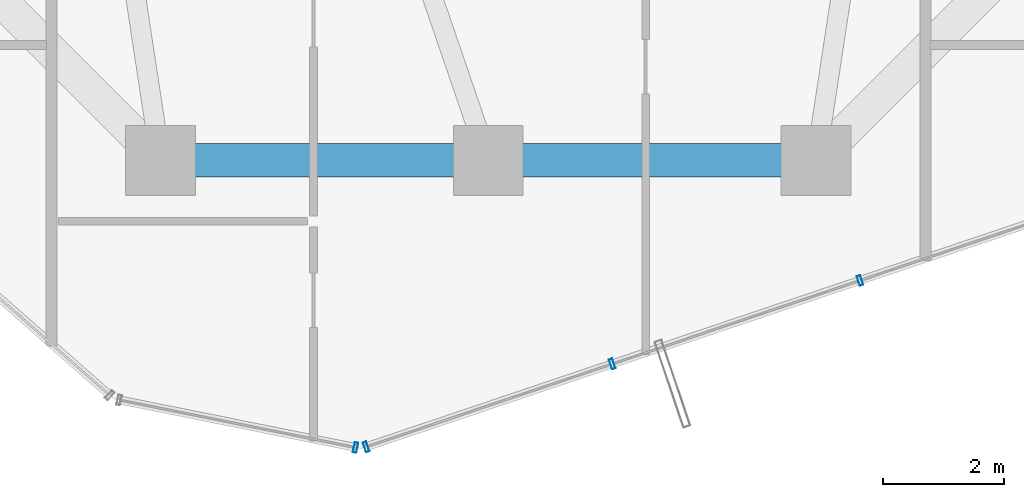
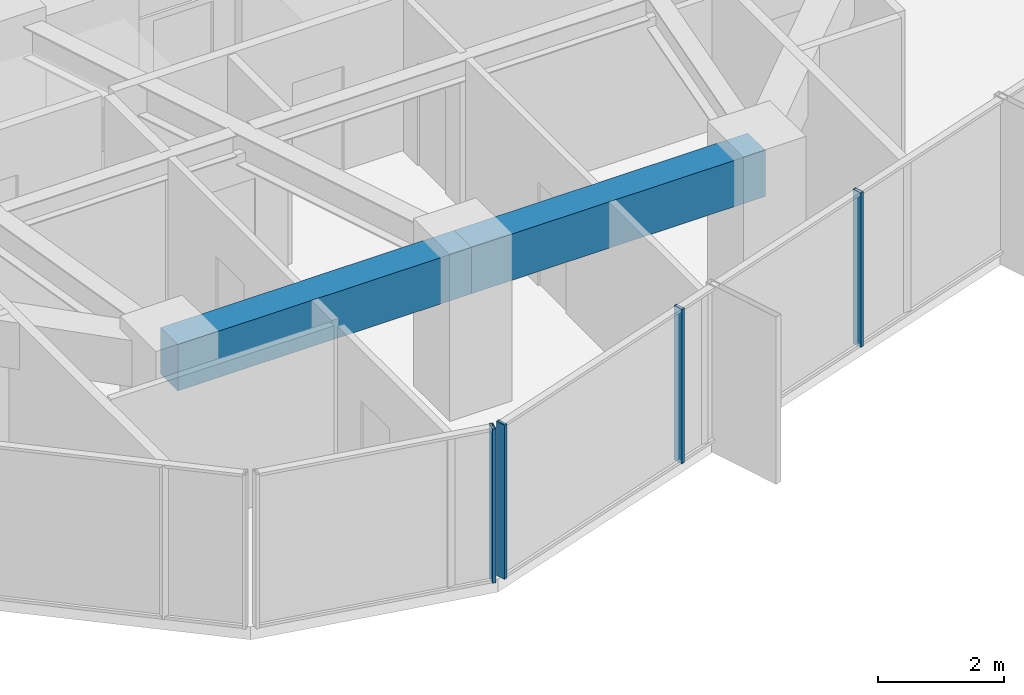
# One storey, part 7 of 32: 4 members, 2 beams, 2 elements without a shape of their own.
"""IFC4 building model written with IfcOpenShell, lengths in metres."""

from ifc_helpers import new_model, si_unit, direction, frame, origin, origin_2d, place, context, subcontext, project, spatial, rectangle, hollow_rectangle, extrude, source, transform, mapped, material, layer, layer_set, material_profile, profile_set, type_object, element, aggregate, save


model = new_model("IFC4")

# Units and contexts
model_context = context("Model", 3, precision=1e-05, world=origin(), true_north=direction((0.0, 1.0)))
body_context = subcontext(model_context, "Body", "Model", "MODEL_VIEW")
ifc_project = project(units=[si_unit("LENGTHUNIT", "METRE"), si_unit("AREAUNIT", "SQUARE_METRE"), si_unit("VOLUMEUNIT", "CUBIC_METRE"), si_unit("PLANEANGLEUNIT", "RADIAN"), si_unit("MASSUNIT", "GRAM", prefix="KILO")], contexts=[model_context])

# Site, building, storey
site_placement = place(None, origin())
site = spatial("IfcSite", under=ifc_project, at=site_placement, CompositionType="ELEMENT")
building_placement = place(site_placement, origin())
building = spatial("IfcBuilding", under=site, at=building_placement, Name="Veraguas Prism Commons", CompositionType="ELEMENT")
storey_placement = place(building_placement, frame((0.0, 0.0, 89.449951171875)))
storey = spatial("IfcBuildingStorey", under=building, at=storey_placement, Name="L24", CompositionType="ELEMENT", Elevation=89.449951171875)

# Beams
ifc_material_1 = material(Name="Concrete C50/60", Category="concrete")
ifc_material_profile_1 = material_profile(ifc_material_1, rectangle(XDim=0.550048828125, YDim=0.89990234375, at=origin_2d()), Name="RC550X900")
ifc_profile_set_1 = profile_set([ifc_material_profile_1], Name="Concrete C50/60")
beam_type = type_object("IfcBeamType", Name="Perimeter Spandrel Lower RC 550x900", PredefinedType="SPANDREL", material=ifc_profile_set_1)
for number, where, z_axis, x_axis, name in (
    (1, (18.60009765625, 7.800048828125, 2.550048828125), (1.0, 0.0, 0.0), (0.0, 1.0, 0.0), "Perimeter Spandrel Beam L24-SP10"),
    (2, (24.0, 7.800048828125, 2.550048828125), (1.0, 0.0, 0.0), (0.0, 1.0, 0.0), "Perimeter Spandrel Beam L24-SP11"),
):
    element("IfcBeam", number, at=place(storey_placement, frame(where, z_axis=z_axis, x_axis=x_axis)), inside=storey, type_object=beam_type, Name=name, PredefinedType="SPANDREL", context=body_context, shape_type="SweptSolid", body=[
        extrude(rectangle(XDim=0.550048828125, YDim=0.89990234375, at=origin_2d()), origin(), (0.0, 0.0, 1.0), 5.39990234375),
    ])

# Curtain wall, members
ifc_material_2 = material(Name="Anodised aluminium EN AW-6063 T6", Category="aluminium")
ifc_layer = layer(ifc_material_2, 0.169921875, Name="Unitised Flush Curtain Wall Zone 2", Category="aluminium")
ifc_layer_set = layer_set([ifc_layer], Name="Anodised aluminium EN AW-6063 T6")
curtain_wall_type = type_object("IfcCurtainWallType", Name="Unitised Flush Curtain Wall Zone 2", PredefinedType="NOTDEFINED", material=ifc_layer_set)
curtain_wall_1_placement = place(storey_placement, origin())
curtain_wall_1 = element("IfcCurtainWall", 3, at=curtain_wall_1_placement, inside=storey, type_object=curtain_wall_type, Name="Tower Facade Curtain Wall L24-F5", PredefinedType="NOTDEFINED")
ifc_material_profile_2 = material_profile(ifc_material_2, hollow_rectangle(XDim=0.06005859375, YDim=0.169921875, WallThickness=0.00390625, at=origin_2d()), Name="AL60X170X4")
ifc_profile_set_2 = profile_set([ifc_material_profile_2], Name="Anodised aluminium EN AW-6063 T6")
member_type = type_object("IfcMemberType", Name="Curtain Wall Mullion Lower AL 60x170x4", PredefinedType="MULLION", material=ifc_profile_set_2)
shared_shape = source(origin(), body_context, "Body", "SweptSolid", [
    extrude(hollow_rectangle(XDim=0.06005859375, YDim=0.169921875, WallThickness=0.00390625, at=origin_2d()), origin(), (0.0, 0.0, 1.0), 3.0),
])
member_1_placement = place(storey_placement, frame((21.987060546875, 3.079833984375, 0.0), z_axis=(0.0, 0.0, 1.0), x_axis=(0.94765924351, 0.319283507543, 0.0)))
member_1 = element("IfcMember", 4, at=member_1_placement, type_object=member_type, Name="CW-Z2 Mullion 1", PredefinedType="MULLION", context=body_context, shape_type="MappedRepresentation", body=[
    mapped(shared_shape, transform((0.0, 0.0, 0.0), scale=1.0)),
])
member_2_placement = place(storey_placement, frame((26.041748046875, 4.446044921875, 0.0), z_axis=(0.0, 0.0, 1.0), x_axis=(0.94765924351, 0.319283507543, 0.0)))
member_2 = element("IfcMember", 5, at=member_2_placement, type_object=member_type, Name="CW-Z2 Mullion 2", PredefinedType="MULLION", context=body_context, shape_type="MappedRepresentation", body=[
    mapped(shared_shape, transform((0.0, 0.0, 0.0), scale=1.0)),
])
member_3_placement = place(storey_placement, frame((30.124755859375, 5.821533203125, 0.0), z_axis=(0.0, 0.0, 1.0), x_axis=(0.94765924351, 0.319283507543, 0.0)))
member_3 = element("IfcMember", 6, at=member_3_placement, type_object=member_type, Name="CW-Z2 Mullion 3", PredefinedType="MULLION", context=body_context, shape_type="MappedRepresentation", body=[
    mapped(shared_shape, transform((0.0, 0.0, 0.0), scale=1.0)),
])
aggregate(curtain_wall_1, [member_1, member_2, member_3])

# Curtain wall, member
curtain_wall_2_placement = place(storey_placement, origin())
curtain_wall_2 = element("IfcCurtainWall", 7, at=curtain_wall_2_placement, inside=storey, type_object=curtain_wall_type, Name="Chamfer Curtain Wall L24-C5", PredefinedType="NOTDEFINED")
member_4_placement = place(storey_placement, frame((21.8134765625, 3.06884765625, 0.0), z_axis=(0.0, 0.0, 1.0), x_axis=(0.980340454705, -0.197313438136, 0.0)))
member_4 = element("IfcMember", 8, at=member_4_placement, type_object=member_type, Name="CW-Z2 Mullion 2", PredefinedType="MULLION", context=body_context, shape_type="MappedRepresentation", body=[
    mapped(shared_shape, transform((0.0, 0.0, 0.0), scale=1.0)),
])
aggregate(curtain_wall_2, [member_4])

save(model, "model.ifc")
